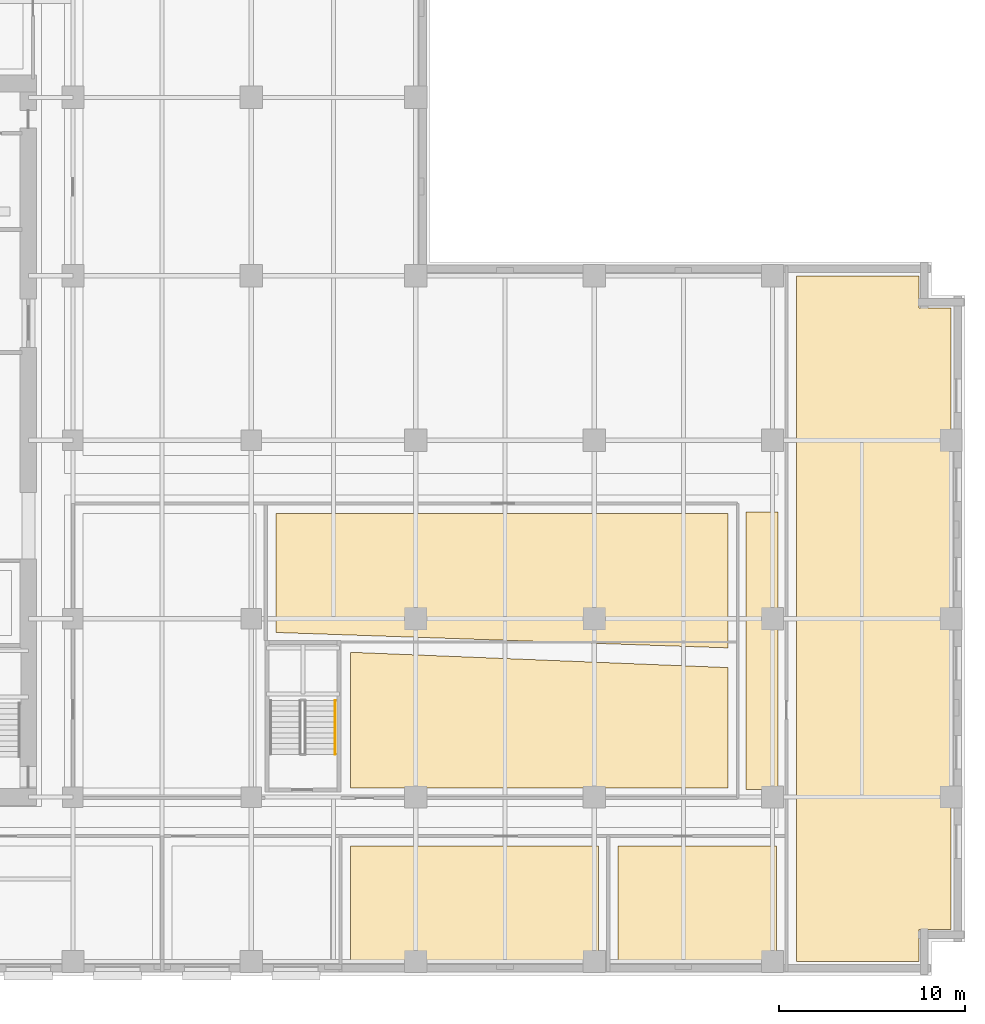
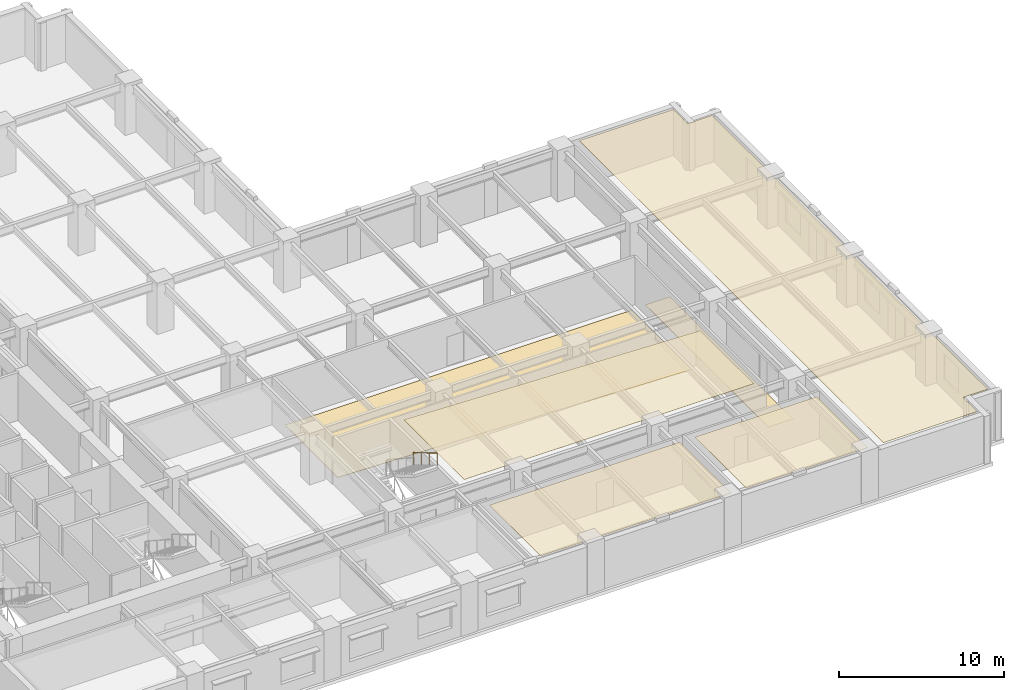
# One storey, part 11 of 14: 6 coverings, 1 railing.
"""IFC4 building model written with IfcOpenShell, lengths in metres."""

from ifc_helpers import new_model, si_unit, direction, frame, origin, origin_2d, place, context, subcontext, project, spatial, polyline, circle, outline, extrude, material, layer, layer_set, type_object, element, save


model = new_model("IFC4")

# Units and contexts
model_context = context("Model", 3, precision=1e-05, world=origin(), true_north=direction((0.0, 1.0)))
body_context = subcontext(model_context, "Body", "Model", "MODEL_VIEW")
ifc_project = project(units=[si_unit("LENGTHUNIT", "METRE"), si_unit("AREAUNIT", "SQUARE_METRE"), si_unit("VOLUMEUNIT", "CUBIC_METRE"), si_unit("PLANEANGLEUNIT", "RADIAN"), si_unit("MASSUNIT", "GRAM", prefix="KILO")], contexts=[model_context])

# Site, building, storey
site_placement = place(None, origin())
site = spatial("IfcSite", under=ifc_project, at=site_placement, CompositionType="ELEMENT")
building_placement = place(site_placement, origin())
building = spatial("IfcBuilding", under=site, at=building_placement, Name="Norrvale University Quadrangle", CompositionType="ELEMENT")
storey_placement = place(building_placement, frame((0.0, 0.0, 28.0)))
storey = spatial("IfcBuildingStorey", under=building, at=storey_placement, Name="L06", CompositionType="ELEMENT", Elevation=28.0)

# Coverings
ifc_material_1 = material(Name="Perforated Acoustic Mineral Ceiling")
ifc_layer_1 = layer(ifc_material_1, 0.02490234375, Name="Perforated Acoustic Mineral Ceiling")
ifc_layer_set_1 = layer_set([ifc_layer_1], Name="Perforated Acoustic Mineral Ceiling")
covering_type_1 = type_object("IfcCoveringType", Name="Covering Acoustic Ceiling 25", PredefinedType="CEILING", material=ifc_layer_set_1)
covering_1_placement = place(storey_placement, frame((0.0, 0.0, 3.514892578125)))
element("IfcCovering", 1, at=covering_1_placement, inside=storey, type_object=covering_type_1, Name="Acoustic Ceiling RM-L06-S04", PredefinedType="CEILING", context=body_context, shape_type="SweptSolid", body=[
    extrude(outline(polyline([(34.1298828125, 6.969970703125), (47.469970703125, 6.969970703125), (47.469970703125, 0.75), (34.1298828125, 0.75), (34.1298828125, 6.969970703125)])), origin(), (0.0, 0.0, 1.0), 0.025146484375),
])
covering_2_placement = place(storey_placement, frame((0.0, 0.0, 3.514892578125)))
element("IfcCovering", 2, at=covering_2_placement, inside=storey, type_object=covering_type_1, Name="Acoustic Ceiling RM-L06-S05", PredefinedType="CEILING", context=body_context, shape_type="SweptSolid", body=[
    extrude(outline(polyline([(48.530029296875, 6.969970703125), (57.070068359375, 6.969970703125), (57.070068359375, 0.75), (48.530029296875, 0.75), (48.530029296875, 6.969970703125)])), origin(), (0.0, 0.0, 1.0), 0.025146484375),
])
covering_3_placement = place(storey_placement, frame((0.0, 0.0, 3.514892578125)))
element("IfcCovering", 3, at=covering_3_placement, inside=storey, type_object=covering_type_1, Name="Acoustic Ceiling RM-L06-E01", PredefinedType="CEILING", context=body_context, shape_type="SweptSolid", body=[
    extrude(outline(polyline([(58.1298828125, 0.75), (58.1298828125, 37.64990234375), (64.72998046875, 37.64990234375), (64.72998046875, 35.929931640625), (66.449951171875, 35.929931640625), (66.449951171875, 2.469970703125), (64.72998046875, 2.469970703125), (64.72998046875, 0.75), (58.1298828125, 0.75)])), origin(), (0.0, 0.0, 1.0), 0.025146484375),
])
covering_4_placement = place(storey_placement, frame((0.0, 0.0, 3.514892578125)))
element("IfcCovering", 4, at=covering_4_placement, inside=storey, type_object=covering_type_1, Name="Acoustic Ceiling RM-L06-ISE", PredefinedType="CEILING", context=body_context, shape_type="SweptSolid", body=[
    extrude(outline(polyline([(34.14990234375, 10.080078125), (34.14990234375, 17.39111328125), (54.445068359375, 16.568115234375), (54.445068359375, 10.080078125), (34.14990234375, 10.080078125)])), origin(), (0.0, 0.0, 1.0), 0.025146484375),
])
ifc_material_2 = material(Name="Polished Terrazzo Flooring")
ifc_layer_2 = layer(ifc_material_2, 0.02490234375, Name="Polished Terrazzo Flooring")
ifc_layer_set_2 = layer_set([ifc_layer_2], Name="Polished Terrazzo Flooring")
covering_type_2 = type_object("IfcCoveringType", Name="Covering Terrazzo Floor 30", PredefinedType="FLOORING", material=ifc_layer_set_2)
covering_5_placement = place(storey_placement, origin())
element("IfcCovering", 5, at=covering_5_placement, inside=storey, type_object=covering_type_2, Name="Terrazzo Flooring RM-L06-CORR2", PredefinedType="FLOORING", context=body_context, shape_type="SweptSolid", body=[
    extrude(outline(polyline([(55.425048828125, 10.0), (55.425048828125, 24.949951171875), (57.14990234375, 24.949951171875), (57.14990234375, 10.0), (55.425048828125, 10.0)])), origin(), (0.0, 0.0, 1.0), 0.02490234375),
])
covering_6_placement = place(storey_placement, origin())
element("IfcCovering", 6, at=covering_6_placement, inside=storey, type_object=covering_type_2, Name="Terrazzo Flooring RM-L06-ILH", PredefinedType="FLOORING", context=body_context, shape_type="SweptSolid", body=[
    extrude(outline(polyline([(30.1298828125, 18.455078125), (30.1298828125, 24.8701171875), (54.445068359375, 24.8701171875), (54.445068359375, 17.6259765625), (30.1298828125, 18.455078125)])), origin(), (0.0, 0.0, 1.0), 0.02490234375),
])

# Railing
ifc_material_3 = material(Name="Stainless Steel 316L Handrail", Category="steel")
railing_type = type_object("IfcRailingType", Name="Railing Stair Handrail 920", PredefinedType="HANDRAIL", material=ifc_material_3)
railing_placement = place(storey_placement, frame((33.31005859375, 14.800048828125, 2.07275390625)))
element("IfcRailing", 7, at=railing_placement, inside=storey, type_object=railing_type, Name="Stair Upper Flight Handrail ST-04 L06", PredefinedType="HANDRAIL", context=body_context, shape_type="SweptSolid", body=[
    extrude(circle(Radius=0.02392578125, at=origin_2d()), frame((0.0, 0.0, 0.89599609375), z_axis=(0.0, -0.859160404282, 0.51170636083), x_axis=(1.0, 0.0, 0.0)), (0.0, 0.0, 1.0), 3.37548828125),
    extrude(circle(Radius=0.02099609375, at=origin_2d()), origin(), (0.0, 0.0, 1.0), 0.871826171875),
    extrude(circle(Radius=0.02099609375, at=origin_2d()), frame((0.0, -0.966796875, 0.57568359375)), (0.0, 0.0, 1.0), 0.871826171875),
    extrude(circle(Radius=0.02099609375, at=origin_2d()), frame((0.0, -1.933349609375, 1.151611328125)), (0.0, 0.0, 1.0), 0.871826171875),
    extrude(circle(Radius=0.02099609375, at=origin_2d()), frame((0.0, -2.900146484375, 1.727294921875)), (0.0, 0.0, 1.0), 0.871826171875),
])

save(model, "model.ifc")
